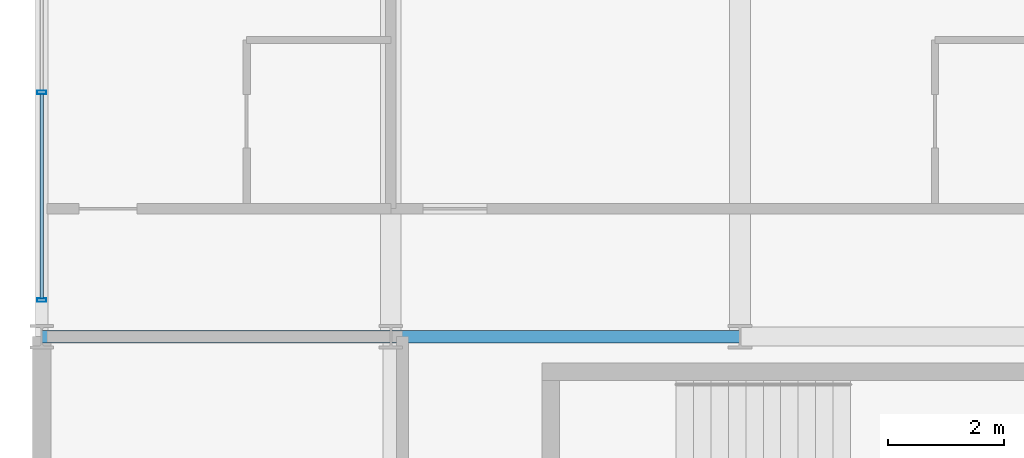
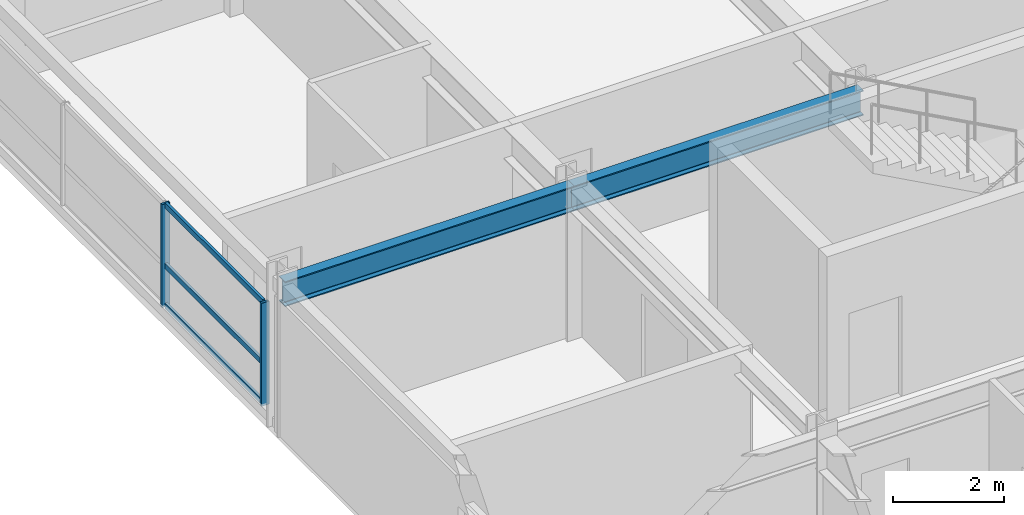
# One storey, part 6 of 20: 5 members, 2 beams, 1 element without a shape of its own.
"""IFC4 building model written with IfcOpenShell, lengths in metres."""

import ifcopenshell
import ifcopenshell.guid

model = None  # the IFC model being written
_history = None  # IfcOwnerHistory: only IFC2X3 demands one
_inside = {}  # id of a spatial element -> (the spatial element, [elements in it])
_under = {}  # id of a project, library or spatial element -> (it, [spatial elements below it])
_declared = {}  # id of a project -> (the project, [libraries it declares])
_typed = {}  # id of a type object -> (the type object, [elements of that type])
_made_of = {}  # id of a material, layer set ... -> (it, [elements and type objects made of it])


def new_model(schema):
    """Start an empty IFC model of exactly this schema.

    Asked for "IFC4X3", IfcOpenShell would pick the latest addendum, in which some entities
    have other attributes; the version numbers below select the first issue.
    IFC2X3 requires an IfcOwnerHistory on every rooted entity: one is made here for all.
    """
    global model, _history
    if schema == "IFC4X3":
        model = ifcopenshell.file(schema_version=(4, 3, 0, 0))
    else:
        model = ifcopenshell.file(schema=schema)
    _inside.clear()
    _under.clear()
    _declared.clear()
    _typed.clear()
    _made_of.clear()
    _history = None
    if model.schema == "IFC2X3":
        org = make("IfcOrganization", Name="unknown")
        user = make(
            "IfcPersonAndOrganization",
            ThePerson=make("IfcPerson", FamilyName="unknown"),
            TheOrganization=org,
        )
        app = make(
            "IfcApplication",
            ApplicationDeveloper=org,
            Version="unknown",
            ApplicationFullName="unknown",
            ApplicationIdentifier="unknown",
        )
        _history = make(
            "IfcOwnerHistory",
            OwningUser=user,
            OwningApplication=app,
            ChangeAction="ADDED",
            CreationDate=0,
        )
    return model


def make(cls, **values):
    """One entity of the class cls with the attributes given. An attribute that is None is left unset."""
    return model.create_entity(
        cls, **{name: value for name, value in values.items() if value is not None}
    )


def rooted(cls, **values):
    """An entity with a GlobalId (a new one), such as an element, a storey or a relation."""
    return make(cls, GlobalId=ifcopenshell.guid.new(), OwnerHistory=_history, **values)


def si_unit(unit_type, name, prefix=None):
    """IfcSIUnit, for example si_unit("LENGTHUNIT", "METRE", prefix="MILLI")."""
    return make("IfcSIUnit", UnitType=unit_type, Prefix=prefix, Name=name)


def assignment(units):
    """IfcUnitAssignment: the units of a project."""
    return None if units is None else make("IfcUnitAssignment", Units=units)


def point(xyz):
    """IfcCartesianPoint."""
    return None if xyz is None else make("IfcCartesianPoint", Coordinates=xyz)


def direction(xyz):
    """IfcDirection."""
    return None if xyz is None else make("IfcDirection", DirectionRatios=xyz)


def frame(location, z_axis=None, x_axis=None):
    """IfcAxis2Placement3D, a coordinate frame: its origin and axes. An axis left out is left unset."""
    return make(
        "IfcAxis2Placement3D",
        Location=point(location),
        Axis=direction(z_axis),
        RefDirection=direction(x_axis),
    )


def frame_2d(location, x_axis=None):
    """IfcAxis2Placement2D, a coordinate frame in the plane: its origin and x axis."""
    return make(
        "IfcAxis2Placement2D", Location=point(location), RefDirection=direction(x_axis)
    )


def origin():
    """The frame at (0, 0, 0) with its axes left unset."""
    return frame((0.0, 0.0, 0.0))


def origin_2d():
    """The frame at (0, 0) in the plane with its x axis left unset."""
    return frame_2d((0.0, 0.0))


def place(relative_to, where):
    """IfcLocalPlacement: puts the frame where relative to a parent placement (None: the world)."""
    return make(
        "IfcLocalPlacement", PlacementRelTo=relative_to, RelativePlacement=where
    )


def context(
    kind, dimensions, precision=None, world=None, true_north=None, identifier=None
):
    """IfcGeometricRepresentationContext, for example the 3D "Model" context."""
    return make(
        "IfcGeometricRepresentationContext",
        ContextIdentifier=identifier,
        ContextType=kind,
        CoordinateSpaceDimension=dimensions,
        Precision=precision,
        WorldCoordinateSystem=world,
        TrueNorth=true_north,
    )


def subcontext(parent, identifier, kind, view, scale=None):
    """IfcGeometricRepresentationSubContext, for example "Body" below "Model"."""
    return make(
        "IfcGeometricRepresentationSubContext",
        ContextIdentifier=identifier,
        ContextType=kind,
        ParentContext=parent,
        TargetScale=scale,
        TargetView=view,
    )


def project(units=None, contexts=None):
    """IfcProject with its units and contexts."""
    return rooted(
        "IfcProject",
        Name="project",
        RepresentationContexts=contexts,
        UnitsInContext=assignment(units),
    )


def spatial(cls, under=None, at=None, **own):
    """A site, building, storey or space (cls), placed at a placement, below another one or the project."""
    s = rooted(cls, ObjectPlacement=at, **own)
    if under is not None:
        _under.setdefault(under.id(), (under, []))[1].append(s)
    return s


def profile(cls, at=None, kind="AREA", **sizes):
    """A parametric profile (cls). Its sizes go by their IFC names, for example OverallWidth=200.0."""
    return make(cls, ProfileType=kind, Position=at, **sizes)


def hollow_rectangle(**sizes):
    """IfcRectangleHollowProfileDef."""
    return profile("IfcRectangleHollowProfileDef", **sizes)


def i_section(**sizes):
    """IfcIShapeProfileDef."""
    return profile("IfcIShapeProfileDef", **sizes)


def extrude(swept, where, along, depth):
    """IfcExtrudedAreaSolid: the profile swept, set in the frame where, extruded along a direction by depth."""
    return make(
        "IfcExtrudedAreaSolid",
        SweptArea=swept,
        Position=where,
        ExtrudedDirection=direction(along),
        Depth=depth,
    )


def shape(context_of_items, identifier, shape_type, items):
    """IfcShapeRepresentation: the items that make up one representation, for example the "Body"."""
    return make(
        "IfcShapeRepresentation",
        ContextOfItems=context_of_items,
        RepresentationIdentifier=identifier,
        RepresentationType=shape_type,
        Items=items,
    )


def material(Name=None, Category=None):
    """IfcMaterial."""
    return make("IfcMaterial", Name=Name, Category=Category)


def material_profile(
    of_material, cross_section, Name=None, Category=None, Priority=None
):
    """IfcMaterialProfile: a cross section and its material."""
    return make(
        "IfcMaterialProfile",
        Name=Name,
        Material=of_material,
        Profile=cross_section,
        Priority=Priority,
        Category=Category,
    )


def profile_set(profiles, Name=None, composite=None):
    """IfcMaterialProfileSet."""
    return make(
        "IfcMaterialProfileSet",
        Name=Name,
        MaterialProfiles=profiles,
        CompositeProfile=composite,
    )


def made_of(thing, what):
    """Note that an element or type object is made of a material, layer set ...; save() writes the relation."""
    if what is not None:
        _made_of.setdefault(what.id(), (what, []))[1].append(thing)
    return thing


def type_object(cls, material=None, **own):
    """A type object (cls), such as IfcWallType, which elements share."""
    return made_of(rooted(cls, **own), material)


def element(
    cls,
    number,
    at=None,
    inside=None,
    cuts=None,
    type_object=None,
    material=None,
    context=None,
    identifier="Body",
    shape_type=None,
    held_by="IfcProductDefinitionShape",
    body=None,
    shapes=None,
    **own,
):
    """One element of the class cls, such as IfcWall. Its Tag is "e" and its number.

    at: its placement. inside: the storey or other place that contains it. cuts: it is an
    opening in that element (IfcRelVoidsElement). A single representation is given by context,
    identifier, shape_type and body (its items); several are given by shapes. held_by: the class
    of the entity that holds the representations. save() writes the other relations.
    """
    e = rooted(cls, Tag="e%d" % number, ObjectPlacement=at, **own)
    if body is not None:
        shapes = [shape(context, identifier, shape_type, body)]
    if shapes is not None:
        e.Representation = make(held_by, Representations=shapes)
    if inside is not None:
        _inside.setdefault(inside.id(), (inside, []))[1].append(e)
    if cuts is not None:
        rooted(
            "IfcRelVoidsElement", RelatingBuildingElement=cuts, RelatedOpeningElement=e
        )
    if type_object is not None:
        _typed.setdefault(type_object.id(), (type_object, []))[1].append(e)
    return made_of(e, material)


def aggregate(whole, parts):
    """IfcRelAggregates: a whole, such as a stair, and the parts it consists of."""
    return rooted("IfcRelAggregates", RelatingObject=whole, RelatedObjects=parts)


def save(model, path):
    """Write the relations noted so far, then the file.

    IfcRelAggregates (storeys below a building ...), IfcRelContainedInSpatialStructure (elements
    in a storey), IfcRelDefinesByType, IfcRelAssociatesMaterial and IfcRelDeclares: one each for
    every whole, place, type object, material and project.
    """
    for whole, parts in _under.values():
        aggregate(whole, parts)
    for where, things in _inside.values():
        rooted(
            "IfcRelContainedInSpatialStructure",
            RelatedElements=things,
            RelatingStructure=where,
        )
    for kind, things in _typed.values():
        rooted("IfcRelDefinesByType", RelatedObjects=things, RelatingType=kind)
    for what, things in _made_of.values():
        rooted("IfcRelAssociatesMaterial", RelatedObjects=things, RelatingMaterial=what)
    for by, libraries in _declared.values():
        rooted("IfcRelDeclares", RelatingContext=by, RelatedDefinitions=libraries)
    model.write(path)


model = new_model("IFC4")

# Units and contexts
model_context = context("Model", 3, precision=1e-05, world=origin(), true_north=direction((0.0, 1.0)))
body_context = subcontext(model_context, "Body", "Model", "MODEL_VIEW")
ifc_project = project(units=[si_unit("LENGTHUNIT", "METRE"), si_unit("AREAUNIT", "SQUARE_METRE"), si_unit("VOLUMEUNIT", "CUBIC_METRE"), si_unit("PLANEANGLEUNIT", "RADIAN"), si_unit("MASSUNIT", "GRAM", prefix="KILO")], contexts=[model_context])

# Site, building, storey
site_placement = place(None, origin())
site = spatial("IfcSite", under=ifc_project, at=site_placement, CompositionType="ELEMENT")
building_placement = place(site_placement, origin())
building = spatial("IfcBuilding", under=site, at=building_placement, Name="Kaldorvane Square Convention Centre", CompositionType="ELEMENT")
storey_placement = place(building_placement, frame((0.0, 0.0, 52.80000305175781)))
storey = spatial("IfcBuildingStorey", under=building, at=storey_placement, Name="L12", CompositionType="ELEMENT", Elevation=52.80000305175781)

# Beams
ifc_material_1 = material(Name="Steel ASTM A992 Gr. 50", Category="steel")
ifc_material_profile_1 = material_profile(ifc_material_1, i_section(OverallWidth=0.213897705078125, OverallDepth=0.549102783203125, WebThickness=0.0146942138671875, FlangeThickness=0.0236053466796875, FilletRadius=0.0126953125, at=origin_2d()), Name="W21X93")
ifc_profile_set_1 = profile_set([ifc_material_profile_1], Name="Steel ASTM A992 Gr. 50")
beam_type = type_object("IfcBeamType", Name="BM-GR-W21X93", PredefinedType="BEAM", material=ifc_profile_set_1)
for number, where, z_axis, x_axis, name in (
    (1, (30.0, 105.0, 3.0114898681640625), (1.0, 0.0, 0.0), (0.0, 1.0, 0.0), "Primary Girder (L12)"),
    (2, (36.0, 105.0, 3.0114898681640625), (1.0, 0.0, 0.0), (0.0, 1.0, 0.0), "Primary Girder (L12)"),
):
    element("IfcBeam", number, at=place(storey_placement, frame(where, z_axis=z_axis, x_axis=x_axis)), inside=storey, type_object=beam_type, Name=name, PredefinedType="BEAM", context=body_context, shape_type="SweptSolid", body=[
        extrude(i_section(OverallWidth=0.213897705078125, OverallDepth=0.549102783203125, WebThickness=0.0146942138671875, FlangeThickness=0.0236053466796875, FilletRadius=0.0126953125, at=origin_2d()), origin(), (0.0, 0.0, 1.0), 6.0),
    ])

# Curtain wall, members
ifc_material_2 = material(Name="Anodized Aluminum and Low-E Insulated Glazing", Category="aluminium")
curtain_wall_type = type_object("IfcCurtainWallType", Name="CW-UNI-HTL-B", PredefinedType="USERDEFINED", material=ifc_material_2)
curtain_wall_placement = place(storey_placement, origin())
curtain_wall = element("IfcCurtainWall", 3, at=curtain_wall_placement, inside=storey, type_object=curtain_wall_type, Name="Curtain Wall CW-11 (L12)", ObjectType="UNITISED GLAZING", PredefinedType="USERDEFINED")
ifc_material_profile_2 = material_profile(ifc_material_2, hollow_rectangle(XDim=0.05999755859375, YDim=0.160003662109375, WallThickness=0.003204345703125, at=origin_2d()), Name="CWM-160X60")
ifc_profile_set_2 = profile_set([ifc_material_profile_2], Name="Anodized Aluminum and Low-E Insulated Glazing")
member_type_1 = type_object("IfcMemberType", Name="CW-MUL-160", PredefinedType="MULLION", material=ifc_profile_set_2)
member_1_placement = place(storey_placement, frame((30.0, 109.19999694824219, 0.149993896484375), z_axis=(0.0, 0.0, 1.0), x_axis=(0.0, -1.0, 0.0)))
member_1 = element("IfcMember", 4, at=member_1_placement, type_object=member_type_1, Name="CW-11 mullion 3", PredefinedType="MULLION", context=body_context, shape_type="SweptSolid", body=[
    extrude(hollow_rectangle(XDim=0.05999755859375, YDim=0.160003662109375, WallThickness=0.003204345703125, at=origin_2d()), origin(), (0.0, 0.0, 1.0), 2.260009765625),
])
member_2_placement = place(storey_placement, frame((30.0, 105.6300048828125, 0.149993896484375), z_axis=(0.0, 0.0, 1.0), x_axis=(0.0, -1.0, 0.0)))
member_2 = element("IfcMember", 5, at=member_2_placement, type_object=member_type_1, Name="CW-11 mullion 4", PredefinedType="MULLION", context=body_context, shape_type="SweptSolid", body=[
    extrude(hollow_rectangle(XDim=0.05999755859375, YDim=0.160003662109375, WallThickness=0.003204345703125, at=origin_2d()), origin(), (0.0, 0.0, 1.0), 2.260009765625),
])
ifc_material_profile_3 = material_profile(ifc_material_2, hollow_rectangle(XDim=0.05499267578125, YDim=0.1199951171875, WallThickness=0.0030059814453125, at=origin_2d()), Name="CWT-120X55")
ifc_profile_set_3 = profile_set([ifc_material_profile_3], Name="Anodized Aluminum and Low-E Insulated Glazing")
member_type_2 = type_object("IfcMemberType", Name="CW-TRN-120", PredefinedType="USERDEFINED", material=ifc_profile_set_3)
member_3_placement = place(storey_placement, frame((30.0, 109.16999816894531, 0.177490234375), z_axis=(0.0, -1.0, 0.0), x_axis=(1.0, 0.0, 0.0)))
member_3 = element("IfcMember", 6, at=member_3_placement, type_object=member_type_2, Name="CW-11 transom 3.1", ObjectType="TRANSOM", PredefinedType="USERDEFINED", context=body_context, shape_type="SweptSolid", body=[
    extrude(hollow_rectangle(XDim=0.05499267578125, YDim=0.1199951171875, WallThickness=0.0030059814453125, at=origin_2d()), origin(), (0.0, 0.0, 1.0), 3.5099945068359375),
])
member_4_placement = place(storey_placement, frame((30.0, 109.16999816894531, 1.0500030517578125), z_axis=(0.0, -1.0, 0.0), x_axis=(1.0, 0.0, 0.0)))
member_4 = element("IfcMember", 7, at=member_4_placement, type_object=member_type_2, Name="CW-11 transom 3.2", ObjectType="TRANSOM", PredefinedType="USERDEFINED", context=body_context, shape_type="SweptSolid", body=[
    extrude(hollow_rectangle(XDim=0.05499267578125, YDim=0.1199951171875, WallThickness=0.0030059814453125, at=origin_2d()), origin(), (0.0, 0.0, 1.0), 3.5099945068359375),
])
member_5_placement = place(storey_placement, frame((30.0, 109.16999816894531, 2.3824920654296875), z_axis=(0.0, -1.0, 0.0), x_axis=(1.0, 0.0, 0.0)))
member_5 = element("IfcMember", 8, at=member_5_placement, type_object=member_type_2, Name="CW-11 transom 3.3", ObjectType="TRANSOM", PredefinedType="USERDEFINED", context=body_context, shape_type="SweptSolid", body=[
    extrude(hollow_rectangle(XDim=0.05499267578125, YDim=0.1199951171875, WallThickness=0.0030059814453125, at=origin_2d()), origin(), (0.0, 0.0, 1.0), 3.5099945068359375),
])
aggregate(curtain_wall, [member_1, member_2, member_3, member_4, member_5])

save(model, "model.ifc")
